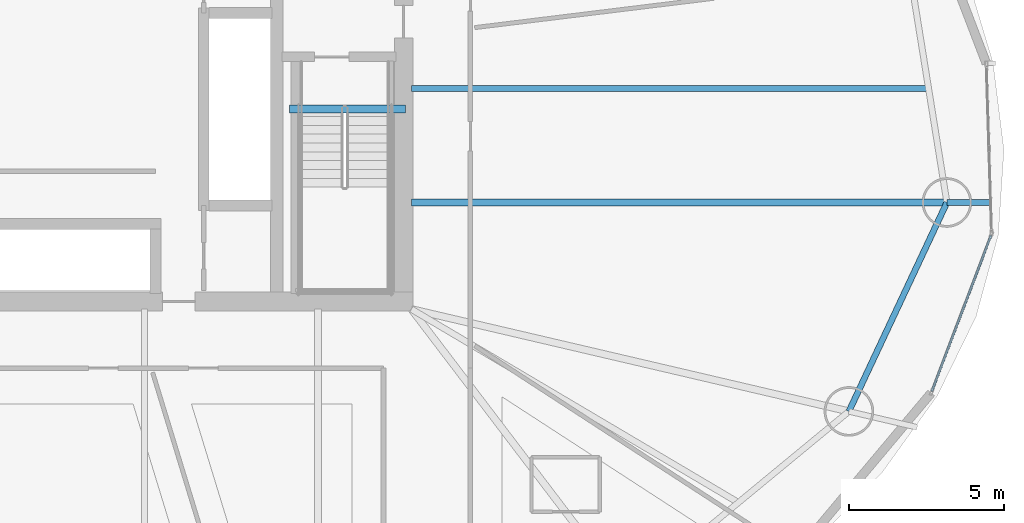
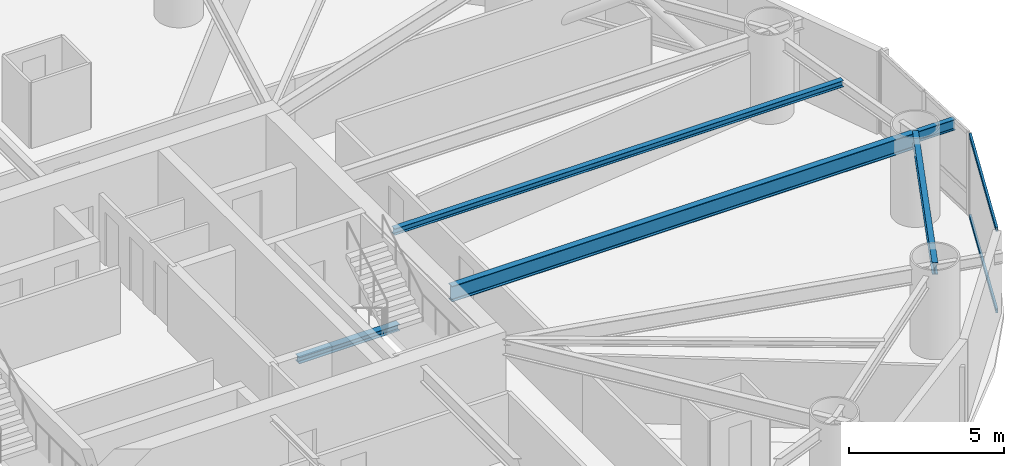
# One storey, part 11 of 27: 5 beams, 2 members, 1 element without a shape of its own.
"""IFC4 building model written with IfcOpenShell, lengths in metres."""

import ifcopenshell
import ifcopenshell.guid

model = None  # the IFC model being written
_history = None  # IfcOwnerHistory: only IFC2X3 demands one
_inside = {}  # id of a spatial element -> (the spatial element, [elements in it])
_under = {}  # id of a project, library or spatial element -> (it, [spatial elements below it])
_declared = {}  # id of a project -> (the project, [libraries it declares])
_typed = {}  # id of a type object -> (the type object, [elements of that type])
_made_of = {}  # id of a material, layer set ... -> (it, [elements and type objects made of it])


def new_model(schema):
    """Start an empty IFC model of exactly this schema.

    Asked for "IFC4X3", IfcOpenShell would pick the latest addendum, in which some entities
    have other attributes; the version numbers below select the first issue.
    IFC2X3 requires an IfcOwnerHistory on every rooted entity: one is made here for all.
    """
    global model, _history
    if schema == "IFC4X3":
        model = ifcopenshell.file(schema_version=(4, 3, 0, 0))
    else:
        model = ifcopenshell.file(schema=schema)
    _inside.clear()
    _under.clear()
    _declared.clear()
    _typed.clear()
    _made_of.clear()
    _history = None
    if model.schema == "IFC2X3":
        org = make("IfcOrganization", Name="unknown")
        user = make(
            "IfcPersonAndOrganization",
            ThePerson=make("IfcPerson", FamilyName="unknown"),
            TheOrganization=org,
        )
        app = make(
            "IfcApplication",
            ApplicationDeveloper=org,
            Version="unknown",
            ApplicationFullName="unknown",
            ApplicationIdentifier="unknown",
        )
        _history = make(
            "IfcOwnerHistory",
            OwningUser=user,
            OwningApplication=app,
            ChangeAction="ADDED",
            CreationDate=0,
        )
    return model


def make(cls, **values):
    """One entity of the class cls with the attributes given. An attribute that is None is left unset."""
    return model.create_entity(
        cls, **{name: value for name, value in values.items() if value is not None}
    )


def rooted(cls, **values):
    """An entity with a GlobalId (a new one), such as an element, a storey or a relation."""
    return make(cls, GlobalId=ifcopenshell.guid.new(), OwnerHistory=_history, **values)


def si_unit(unit_type, name, prefix=None):
    """IfcSIUnit, for example si_unit("LENGTHUNIT", "METRE", prefix="MILLI")."""
    return make("IfcSIUnit", UnitType=unit_type, Prefix=prefix, Name=name)


def assignment(units):
    """IfcUnitAssignment: the units of a project."""
    return None if units is None else make("IfcUnitAssignment", Units=units)


def point(xyz):
    """IfcCartesianPoint."""
    return None if xyz is None else make("IfcCartesianPoint", Coordinates=xyz)


def direction(xyz):
    """IfcDirection."""
    return None if xyz is None else make("IfcDirection", DirectionRatios=xyz)


def frame(location, z_axis=None, x_axis=None):
    """IfcAxis2Placement3D, a coordinate frame: its origin and axes. An axis left out is left unset."""
    return make(
        "IfcAxis2Placement3D",
        Location=point(location),
        Axis=direction(z_axis),
        RefDirection=direction(x_axis),
    )


def frame_2d(location, x_axis=None):
    """IfcAxis2Placement2D, a coordinate frame in the plane: its origin and x axis."""
    return make(
        "IfcAxis2Placement2D", Location=point(location), RefDirection=direction(x_axis)
    )


def origin():
    """The frame at (0, 0, 0) with its axes left unset."""
    return frame((0.0, 0.0, 0.0))


def origin_2d():
    """The frame at (0, 0) in the plane with its x axis left unset."""
    return frame_2d((0.0, 0.0))


def place(relative_to, where):
    """IfcLocalPlacement: puts the frame where relative to a parent placement (None: the world)."""
    return make(
        "IfcLocalPlacement", PlacementRelTo=relative_to, RelativePlacement=where
    )


def context(
    kind, dimensions, precision=None, world=None, true_north=None, identifier=None
):
    """IfcGeometricRepresentationContext, for example the 3D "Model" context."""
    return make(
        "IfcGeometricRepresentationContext",
        ContextIdentifier=identifier,
        ContextType=kind,
        CoordinateSpaceDimension=dimensions,
        Precision=precision,
        WorldCoordinateSystem=world,
        TrueNorth=true_north,
    )


def subcontext(parent, identifier, kind, view, scale=None):
    """IfcGeometricRepresentationSubContext, for example "Body" below "Model"."""
    return make(
        "IfcGeometricRepresentationSubContext",
        ContextIdentifier=identifier,
        ContextType=kind,
        ParentContext=parent,
        TargetScale=scale,
        TargetView=view,
    )


def project(units=None, contexts=None):
    """IfcProject with its units and contexts."""
    return rooted(
        "IfcProject",
        Name="project",
        RepresentationContexts=contexts,
        UnitsInContext=assignment(units),
    )


def spatial(cls, under=None, at=None, **own):
    """A site, building, storey or space (cls), placed at a placement, below another one or the project."""
    s = rooted(cls, ObjectPlacement=at, **own)
    if under is not None:
        _under.setdefault(under.id(), (under, []))[1].append(s)
    return s


def profile(cls, at=None, kind="AREA", **sizes):
    """A parametric profile (cls). Its sizes go by their IFC names, for example OverallWidth=200.0."""
    return make(cls, ProfileType=kind, Position=at, **sizes)


def hollow_rectangle(**sizes):
    """IfcRectangleHollowProfileDef."""
    return profile("IfcRectangleHollowProfileDef", **sizes)


def i_section(**sizes):
    """IfcIShapeProfileDef."""
    return profile("IfcIShapeProfileDef", **sizes)


def extrude(swept, where, along, depth):
    """IfcExtrudedAreaSolid: the profile swept, set in the frame where, extruded along a direction by depth."""
    return make(
        "IfcExtrudedAreaSolid",
        SweptArea=swept,
        Position=where,
        ExtrudedDirection=direction(along),
        Depth=depth,
    )


def shape(context_of_items, identifier, shape_type, items):
    """IfcShapeRepresentation: the items that make up one representation, for example the "Body"."""
    return make(
        "IfcShapeRepresentation",
        ContextOfItems=context_of_items,
        RepresentationIdentifier=identifier,
        RepresentationType=shape_type,
        Items=items,
    )


def material(Name=None, Category=None):
    """IfcMaterial."""
    return make("IfcMaterial", Name=Name, Category=Category)


def layer(
    of_material, thickness, ventilated=None, Name=None, Category=None, Priority=None
):
    """IfcMaterialLayer: one layer of a wall or slab, of a material (None: an air gap)."""
    return make(
        "IfcMaterialLayer",
        Material=of_material,
        LayerThickness=thickness,
        IsVentilated=ventilated,
        Name=Name,
        Category=Category,
        Priority=Priority,
    )


def layer_set(layers, Name=None):
    """IfcMaterialLayerSet."""
    return make("IfcMaterialLayerSet", MaterialLayers=layers, LayerSetName=Name)


def material_profile(
    of_material, cross_section, Name=None, Category=None, Priority=None
):
    """IfcMaterialProfile: a cross section and its material."""
    return make(
        "IfcMaterialProfile",
        Name=Name,
        Material=of_material,
        Profile=cross_section,
        Priority=Priority,
        Category=Category,
    )


def profile_set(profiles, Name=None, composite=None):
    """IfcMaterialProfileSet."""
    return make(
        "IfcMaterialProfileSet",
        Name=Name,
        MaterialProfiles=profiles,
        CompositeProfile=composite,
    )


def made_of(thing, what):
    """Note that an element or type object is made of a material, layer set ...; save() writes the relation."""
    if what is not None:
        _made_of.setdefault(what.id(), (what, []))[1].append(thing)
    return thing


def type_object(cls, material=None, **own):
    """A type object (cls), such as IfcWallType, which elements share."""
    return made_of(rooted(cls, **own), material)


def element(
    cls,
    number,
    at=None,
    inside=None,
    cuts=None,
    type_object=None,
    material=None,
    context=None,
    identifier="Body",
    shape_type=None,
    held_by="IfcProductDefinitionShape",
    body=None,
    shapes=None,
    **own,
):
    """One element of the class cls, such as IfcWall. Its Tag is "e" and its number.

    at: its placement. inside: the storey or other place that contains it. cuts: it is an
    opening in that element (IfcRelVoidsElement). A single representation is given by context,
    identifier, shape_type and body (its items); several are given by shapes. held_by: the class
    of the entity that holds the representations. save() writes the other relations.
    """
    e = rooted(cls, Tag="e%d" % number, ObjectPlacement=at, **own)
    if body is not None:
        shapes = [shape(context, identifier, shape_type, body)]
    if shapes is not None:
        e.Representation = make(held_by, Representations=shapes)
    if inside is not None:
        _inside.setdefault(inside.id(), (inside, []))[1].append(e)
    if cuts is not None:
        rooted(
            "IfcRelVoidsElement", RelatingBuildingElement=cuts, RelatedOpeningElement=e
        )
    if type_object is not None:
        _typed.setdefault(type_object.id(), (type_object, []))[1].append(e)
    return made_of(e, material)


def aggregate(whole, parts):
    """IfcRelAggregates: a whole, such as a stair, and the parts it consists of."""
    return rooted("IfcRelAggregates", RelatingObject=whole, RelatedObjects=parts)


def save(model, path):
    """Write the relations noted so far, then the file.

    IfcRelAggregates (storeys below a building ...), IfcRelContainedInSpatialStructure (elements
    in a storey), IfcRelDefinesByType, IfcRelAssociatesMaterial and IfcRelDeclares: one each for
    every whole, place, type object, material and project.
    """
    for whole, parts in _under.values():
        aggregate(whole, parts)
    for where, things in _inside.values():
        rooted(
            "IfcRelContainedInSpatialStructure",
            RelatedElements=things,
            RelatingStructure=where,
        )
    for kind, things in _typed.values():
        rooted("IfcRelDefinesByType", RelatedObjects=things, RelatingType=kind)
    for what, things in _made_of.values():
        rooted("IfcRelAssociatesMaterial", RelatedObjects=things, RelatingMaterial=what)
    for by, libraries in _declared.values():
        rooted("IfcRelDeclares", RelatingContext=by, RelatedDefinitions=libraries)
    model.write(path)


model = new_model("IFC4")

# Units and contexts
model_context = context("Model", 3, precision=1e-05, world=origin(), true_north=direction((0.0, 1.0)))
body_context = subcontext(model_context, "Body", "Model", "MODEL_VIEW")
ifc_project = project(units=[si_unit("LENGTHUNIT", "METRE"), si_unit("AREAUNIT", "SQUARE_METRE"), si_unit("VOLUMEUNIT", "CUBIC_METRE"), si_unit("PLANEANGLEUNIT", "RADIAN"), si_unit("MASSUNIT", "GRAM", prefix="KILO")], contexts=[model_context])

# Site, building, storey
site_placement = place(None, origin())
site = spatial("IfcSite", under=ifc_project, at=site_placement, CompositionType="ELEMENT")
building_placement = place(site_placement, origin())
building = spatial("IfcBuilding", under=site, at=building_placement, Name="Bramvorn Convention Spire", CompositionType="ELEMENT")
storey_placement = place(building_placement, frame((0.0, 0.0, 72.89990234375)))
storey = spatial("IfcBuildingStorey", under=building, at=storey_placement, Name="L16", CompositionType="ELEMENT", Elevation=72.89990234375)

# Beams
ifc_material_1 = material(Name="Steel CSA G40.21 Grade 350 (350W)", Category="steel")
ifc_material_profile_1 = material_profile(ifc_material_1, i_section(OverallWidth=0.201904296875, OverallDepth=0.2470703125, WebThickness=0.00732421875, FlangeThickness=0.010986328125, FilletRadius=0.011962890625, at=origin_2d()))
ifc_profile_set_1 = profile_set([ifc_material_profile_1], Name="Steel CSA G40.21 Grade 350 (350W) - W250X49")
beam_type_1 = type_object("IfcBeamType", Name="BM-W250X49", PredefinedType="JOIST", material=ifc_profile_set_1)
beam_1_placement = place(storey_placement, frame((49.25, 25.666015625, 3.126708984375), z_axis=(1.0, 0.0, 0.0), x_axis=(0.0, 1.0, 0.0)))
element("IfcBeam", 1, at=beam_1_placement, inside=storey, type_object=beam_type_1, Name="L16 composite floor joist 01", PredefinedType="JOIST", context=body_context, shape_type="SweptSolid", body=[
    extrude(i_section(OverallWidth=0.201904296875, OverallDepth=0.2470703125, WebThickness=0.00732421875, FlangeThickness=0.010986328125, FilletRadius=0.011962890625, at=origin_2d()), origin(), (0.0, 0.0, 1.0), 16.67919921875),
])
ifc_material_profile_2 = material_profile(ifc_material_1, i_section(OverallWidth=0.25390625, OverallDepth=0.2529296875, WebThickness=0.008544921875, FlangeThickness=0.01416015625, FilletRadius=0.011962890625, at=origin_2d()))
ifc_profile_set_2 = profile_set([ifc_material_profile_2], Name="Steel CSA G40.21 Grade 350 (350W) - W250X73")
beam_type_2 = type_object("IfcBeamType", Name="BM-W250X73", PredefinedType="BEAM", material=ifc_profile_set_2)
beam_2_placement = place(storey_placement, frame((45.31005859375, 25.010009765625, -0.12646484375), z_axis=(1.0, 0.0, 0.0), x_axis=(0.0, 1.0, 0.0)))
element("IfcBeam", 2, at=beam_2_placement, inside=storey, type_object=beam_type_2, Name="L16 ST2 stair arrival header beam", PredefinedType="BEAM", context=body_context, shape_type="SweptSolid", body=[
    extrude(i_section(OverallWidth=0.25390625, OverallDepth=0.2529296875, WebThickness=0.008544921875, FlangeThickness=0.01416015625, FilletRadius=0.011962890625, at=origin_2d()), origin(), (0.0, 0.0, 1.0), 3.739990234375),
])
ifc_material_profile_3 = material_profile(ifc_material_1, i_section(OverallWidth=0.180908203125, OverallDepth=0.4169921875, WebThickness=0.010986328125, FlangeThickness=0.018310546875, FilletRadius=0.01611328125, at=origin_2d()))
ifc_profile_set_3 = profile_set([ifc_material_profile_3], Name="Steel CSA G40.21 Grade 350 (350W) - W410X85")
beam_type_3 = type_object("IfcBeamType", Name="BM-W410X85", PredefinedType="JOIST", material=ifc_profile_set_3)
beam_3_placement = place(storey_placement, frame((66.519775390625, 21.99169921875, 3.026611328125), z_axis=(1.0, 0.0, 0.0), x_axis=(0.0, 1.0, 0.0)))
element("IfcBeam", 3, at=beam_3_placement, inside=storey, type_object=beam_type_3, Name="L16 Sky-Garden cantilever tip girder MC01", PredefinedType="JOIST", context=body_context, shape_type="SweptSolid", body=[
    extrude(i_section(OverallWidth=0.180908203125, OverallDepth=0.4169921875, WebThickness=0.010986328125, FlangeThickness=0.018310546875, FilletRadius=0.01611328125, at=origin_2d()), origin(), (0.0, 0.0, 1.0), 1.449951171875),
])
ifc_material_profile_4 = material_profile(ifc_material_1, i_section(OverallWidth=0.194091796875, OverallDepth=0.468994140625, WebThickness=0.0126953125, FlangeThickness=0.0205078125, FilletRadius=0.01806640625, at=origin_2d()))
ifc_profile_set_4 = profile_set([ifc_material_profile_4], Name="Steel CSA G40.21 Grade 350 (350W) - W460X106")
beam_type_4 = type_object("IfcBeamType", Name="BM-W460X106", PredefinedType="SPANDREL", material=ifc_profile_set_4)
beam_4_placement = place(storey_placement, frame((63.35888671875, 15.253662109375, 3.015625), z_axis=(0.424701955478, 0.9053332254, 0.0), x_axis=(-0.9053332254, 0.424701955478, 0.0)))
element("IfcBeam", 4, at=beam_4_placement, inside=storey, type_object=beam_type_4, Name="L16 mega-column ring beam 16", PredefinedType="SPANDREL", context=body_context, shape_type="SweptSolid", body=[
    extrude(i_section(OverallWidth=0.194091796875, OverallDepth=0.468994140625, WebThickness=0.0126953125, FlangeThickness=0.0205078125, FilletRadius=0.01806640625, at=origin_2d()), origin(), (0.0, 0.0, 1.0), 7.442626953125),
])
ifc_material_profile_5 = material_profile(ifc_material_1, i_section(OverallWidth=0.22998046875, OverallDepth=0.616943359375, WebThickness=0.01318359375, FlangeThickness=0.022216796875, FilletRadius=0.02001953125, at=origin_2d()))
ifc_profile_set_5 = profile_set([ifc_material_profile_5], Name="Steel CSA G40.21 Grade 350 (350W) - W610X140")
beam_type_5 = type_object("IfcBeamType", Name="BM-W610X140", PredefinedType="BEAM", material=ifc_profile_set_5)
beam_5_placement = place(storey_placement, frame((49.25, 21.99169921875, 2.926513671875), z_axis=(1.0, 0.0, 0.0), x_axis=(0.0, 1.0, 0.0)))
element("IfcBeam", 5, at=beam_5_placement, inside=storey, type_object=beam_type_5, Name="L16 Sky-Garden back-span radial girder MC01", PredefinedType="BEAM", context=body_context, shape_type="SweptSolid", body=[
    extrude(i_section(OverallWidth=0.22998046875, OverallDepth=0.616943359375, WebThickness=0.01318359375, FlangeThickness=0.022216796875, FilletRadius=0.02001953125, at=origin_2d()), origin(), (0.0, 0.0, 1.0), 17.269775390625),
])

# Curtain wall, members
ifc_material_2 = material(Name="Anodised Bronze Unitised Curtain Wall", Category="aluminium")
ifc_layer = layer(ifc_material_2, 0.179931640625)
ifc_layer_set = layer_set([ifc_layer], Name="Anodised Bronze Unitised Curtain Wall - CW-HTL-FRIT")
curtain_wall_type = type_object("IfcCurtainWallType", Name="CW-HTL-FRIT", PredefinedType="USERDEFINED", material=ifc_layer_set)
curtain_wall_placement = place(storey_placement, origin())
curtain_wall = element("IfcCurtainWall", 6, at=curtain_wall_placement, inside=storey, type_object=curtain_wall_type, Name="L16 fritted glass curtain wall 24", ObjectType="UNITISED CURTAIN WALL", PredefinedType="USERDEFINED")
ifc_material_3 = material(Name="Anodised Bronze Aluminium 6063-T6", Category="aluminium")
ifc_material_profile_6 = material_profile(ifc_material_3, hollow_rectangle(XDim=0.080078125, YDim=0.159912109375, WallThickness=0.00390625, InnerFilletRadius=0.0009765625, OuterFilletRadius=0.00390625, at=origin_2d()))
ifc_profile_set_6 = profile_set([ifc_material_profile_6], Name="Anodised Bronze Aluminium 6063-T6 - CWT80X160")
member_type = type_object("IfcMemberType", Name="CW-TRN-150", PredefinedType="USERDEFINED", material=ifc_profile_set_6)
member_1_placement = place(storey_placement, frame((67.942138671875, 20.9296875, 0.030029296875), z_axis=(-0.354901946635, -0.93490352886, 0.0), x_axis=(0.93490352886, -0.354901946635, 0.0)))
member_1 = element("IfcMember", 7, at=member_1_placement, type_object=member_type, Name="CW2 transom 1.1", ObjectType="TRANSOM", PredefinedType="USERDEFINED", context=body_context, shape_type="SweptSolid", body=[
    extrude(hollow_rectangle(XDim=0.080078125, YDim=0.159912109375, WallThickness=0.00390625, InnerFilletRadius=0.0009765625, OuterFilletRadius=0.00390625, at=origin_2d()), origin(), (0.0, 0.0, 1.0), 5.37744140625),
])
member_2_placement = place(storey_placement, frame((67.942138671875, 20.9296875, 3.22021484375), z_axis=(-0.354901946635, -0.93490352886, 0.0), x_axis=(0.93490352886, -0.354901946635, 0.0)))
member_2 = element("IfcMember", 8, at=member_2_placement, type_object=member_type, Name="CW2 transom 1.2", ObjectType="TRANSOM", PredefinedType="USERDEFINED", context=body_context, shape_type="SweptSolid", body=[
    extrude(hollow_rectangle(XDim=0.080078125, YDim=0.159912109375, WallThickness=0.00390625, InnerFilletRadius=0.0009765625, OuterFilletRadius=0.00390625, at=origin_2d()), origin(), (0.0, 0.0, 1.0), 5.37744140625),
])
aggregate(curtain_wall, [member_1, member_2])

save(model, "model.ifc")
